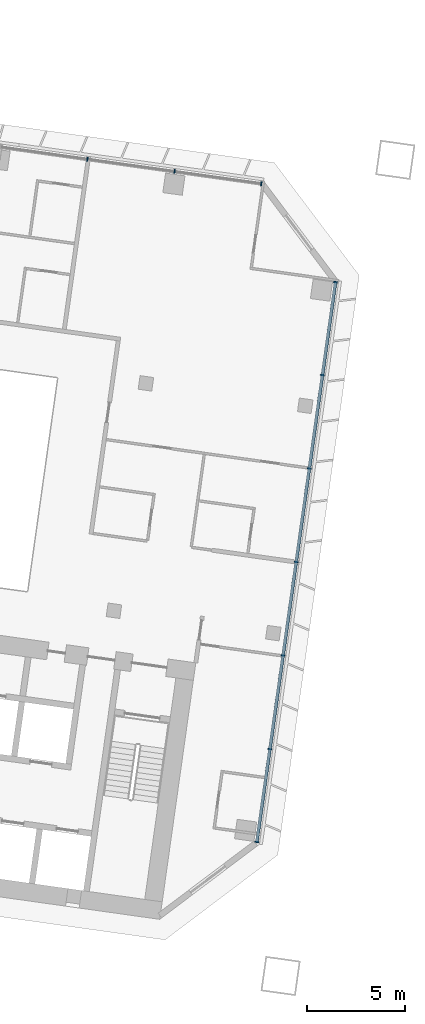
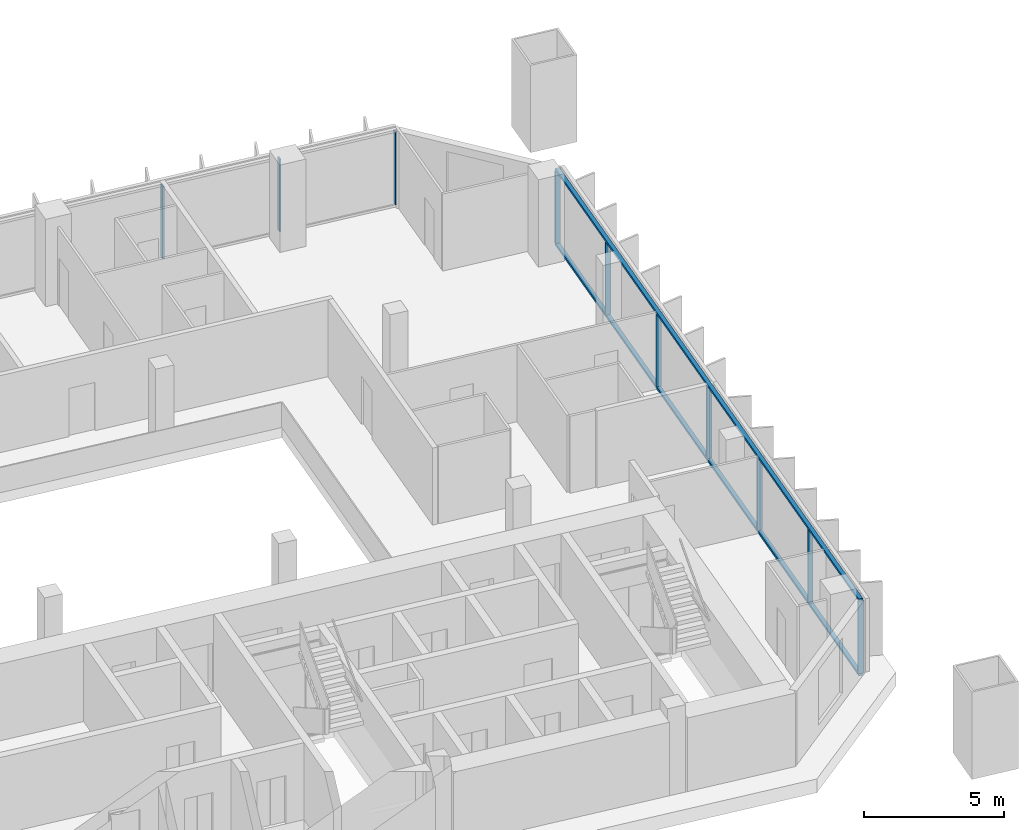
# One storey, part 6 of 25: 12 members, 2 elements without a shape of their own.
"""IFC4 building model written with IfcOpenShell, lengths in metres."""

from ifc_helpers import new_model, si_unit, direction, frame, origin, origin_2d, place, context, subcontext, project, spatial, rectangle, extrude, material, material_profile, profile_set, type_object, element, aggregate, save


model = new_model("IFC4")

# Units and contexts
model_context = context("Model", 3, precision=1e-05, world=origin(), true_north=direction((0.0, 1.0)))
body_context = subcontext(model_context, "Body", "Model", "MODEL_VIEW")
ifc_project = project(units=[si_unit("LENGTHUNIT", "METRE"), si_unit("AREAUNIT", "SQUARE_METRE"), si_unit("VOLUMEUNIT", "CUBIC_METRE"), si_unit("PLANEANGLEUNIT", "RADIAN"), si_unit("MASSUNIT", "GRAM", prefix="KILO")], contexts=[model_context])

# Site, building, storey
site_placement = place(None, origin())
site = spatial("IfcSite", under=ifc_project, at=site_placement, CompositionType="ELEMENT")
building_placement = place(site_placement, origin())
building = spatial("IfcBuilding", under=site, at=building_placement, Name="Mirante Cascada Hotel Towers", CompositionType="ELEMENT")
storey_placement = place(building_placement, frame((0.0, 0.0, 62.3)))
storey = spatial("IfcBuildingStorey", under=building, at=storey_placement, Name="L12", CompositionType="ELEMENT", Elevation=62.3)

# Curtain wall, members
ifc_material_1 = material(Name="Aluminium mullion and transom frame with clear laminated glass", Category="aluminium")
curtain_wall_type_1 = type_object("IfcCurtainWallType", Name="Ribbon curtain wall ECW1", PredefinedType="NOTDEFINED", material=ifc_material_1)
curtain_wall_1_placement = place(storey_placement, origin())
curtain_wall_1 = element("IfcCurtainWall", 1, at=curtain_wall_1_placement, inside=storey, type_object=curtain_wall_type_1, Name="Front ribbon wall T1 L12", PredefinedType="NOTDEFINED")
ifc_material_2 = material(Name="Anodised aluminium extrusion", Category="aluminium")
ifc_material_profile_1 = material_profile(ifc_material_2, rectangle(XDim=0.2, YDim=0.065, at=origin_2d()), Name="ECW1 MULLION 65x200")
ifc_profile_set_1 = profile_set([ifc_material_profile_1], Name="Anodised aluminium extrusion")
member_type_1 = type_object("IfcMemberType", Name="ECW1 mullion 65x200", PredefinedType="MULLION", material=ifc_profile_set_1)
member_1_placement = place(storey_placement, frame((-40.7892, 18.5516, 0.1), z_axis=(0.0, 0.0, 1.0), x_axis=(0.1391731, 0.9902681, 0.0)))
member_1 = element("IfcMember", 2, at=member_1_placement, type_object=member_type_1, Name="ECW1 mullion 13", PredefinedType="MULLION", context=body_context, shape_type="SweptSolid", body=[
    extrude(rectangle(XDim=0.2, YDim=0.065, at=origin_2d()), origin(), (0.0, 0.0, 1.0), 3.15),
])
member_2_placement = place(storey_placement, frame((-36.3417, 17.9265, 0.1), z_axis=(0.0, 0.0, 1.0), x_axis=(0.1391731, 0.9902681, 0.0)))
member_2 = element("IfcMember", 3, at=member_2_placement, type_object=member_type_1, Name="ECW1 mullion 14", PredefinedType="MULLION", context=body_context, shape_type="SweptSolid", body=[
    extrude(rectangle(XDim=0.2, YDim=0.065, at=origin_2d()), origin(), (0.0, 0.0, 1.0), 3.15),
])
member_3_placement = place(storey_placement, frame((-31.9265, 17.306, 0.1), z_axis=(0.0, 0.0, 1.0), x_axis=(0.1391731, 0.9902681, 0.0)))
member_3 = element("IfcMember", 4, at=member_3_placement, type_object=member_type_1, Name="ECW1 mullion 15", PredefinedType="MULLION", context=body_context, shape_type="SweptSolid", body=[
    extrude(rectangle(XDim=0.2, YDim=0.065, at=origin_2d()), origin(), (0.0, 0.0, 1.0), 3.15),
])
aggregate(curtain_wall_1, [member_1, member_2, member_3])

ifc_material_3 = material(Name="Aluminium mullion and transom frame with clear laminated glass", Category="aluminium")
curtain_wall_type_2 = type_object("IfcCurtainWallType", Name="End ribbon curtain wall ECW2", PredefinedType="NOTDEFINED", material=ifc_material_3)
curtain_wall_2_placement = place(storey_placement, origin())
curtain_wall_2 = element("IfcCurtainWall", 5, at=curtain_wall_2_placement, inside=storey, type_object=curtain_wall_type_2, Name="Inner end wall T1 L12", PredefinedType="NOTDEFINED")
ifc_material_4 = material(Name="Anodised aluminium extrusion", Category="aluminium")
ifc_material_profile_2 = material_profile(ifc_material_4, rectangle(XDim=0.2, YDim=0.065, at=origin_2d()), Name="ECW2 MULLION 65x200")
ifc_profile_set_2 = profile_set([ifc_material_profile_2], Name="Anodised aluminium extrusion")
member_type_2 = type_object("IfcMemberType", Name="ECW2 mullion 65x200", PredefinedType="MULLION", material=ifc_profile_set_2)
member_4_placement = place(storey_placement, frame((-28.1437, 12.2861, 0.1), z_axis=(0.0, 0.0, 1.0), x_axis=(0.9902681, -0.1391731, 0.0)))
member_4 = element("IfcMember", 6, at=member_4_placement, type_object=member_type_2, Name="ECW2 mullion 1", PredefinedType="MULLION", context=body_context, shape_type="SweptSolid", body=[
    extrude(rectangle(XDim=0.2, YDim=0.065, at=origin_2d()), origin(), (0.0, 0.0, 1.0), 3.15),
])
member_5_placement = place(storey_placement, frame((-28.809, 7.5524, 0.1), z_axis=(0.0, 0.0, 1.0), x_axis=(0.9902681, -0.1391731, 0.0)))
member_5 = element("IfcMember", 7, at=member_5_placement, type_object=member_type_2, Name="ECW2 mullion 2", PredefinedType="MULLION", context=body_context, shape_type="SweptSolid", body=[
    extrude(rectangle(XDim=0.2, YDim=0.065, at=origin_2d()), origin(), (0.0, 0.0, 1.0), 3.15),
])
member_6_placement = place(storey_placement, frame((-29.4788, 2.7867, 0.1), z_axis=(0.0, 0.0, 1.0), x_axis=(0.9902681, -0.1391731, 0.0)))
member_6 = element("IfcMember", 8, at=member_6_placement, type_object=member_type_2, Name="ECW2 mullion 3", PredefinedType="MULLION", context=body_context, shape_type="SweptSolid", body=[
    extrude(rectangle(XDim=0.2, YDim=0.065, at=origin_2d()), origin(), (0.0, 0.0, 1.0), 3.15),
])
member_7_placement = place(storey_placement, frame((-30.1485, -1.9791, 0.1), z_axis=(0.0, 0.0, 1.0), x_axis=(0.9902681, -0.1391731, 0.0)))
member_7 = element("IfcMember", 9, at=member_7_placement, type_object=member_type_2, Name="ECW2 mullion 4", PredefinedType="MULLION", context=body_context, shape_type="SweptSolid", body=[
    extrude(rectangle(XDim=0.2, YDim=0.065, at=origin_2d()), origin(), (0.0, 0.0, 1.0), 3.15),
])
member_8_placement = place(storey_placement, frame((-30.8183, -6.7449, 0.1), z_axis=(0.0, 0.0, 1.0), x_axis=(0.9902681, -0.1391731, 0.0)))
member_8 = element("IfcMember", 10, at=member_8_placement, type_object=member_type_2, Name="ECW2 mullion 5", PredefinedType="MULLION", context=body_context, shape_type="SweptSolid", body=[
    extrude(rectangle(XDim=0.2, YDim=0.065, at=origin_2d()), origin(), (0.0, 0.0, 1.0), 3.15),
])
member_9_placement = place(storey_placement, frame((-31.4881, -11.5107, 0.1), z_axis=(0.0, 0.0, 1.0), x_axis=(0.9902681, -0.1391731, 0.0)))
member_9 = element("IfcMember", 11, at=member_9_placement, type_object=member_type_2, Name="ECW2 mullion 6", PredefinedType="MULLION", context=body_context, shape_type="SweptSolid", body=[
    extrude(rectangle(XDim=0.2, YDim=0.065, at=origin_2d()), origin(), (0.0, 0.0, 1.0), 3.15),
])
member_10_placement = place(storey_placement, frame((-32.1534, -16.2443, 0.1), z_axis=(0.0, 0.0, 1.0), x_axis=(0.9902681, -0.1391731, 0.0)))
member_10 = element("IfcMember", 12, at=member_10_placement, type_object=member_type_2, Name="ECW2 mullion 7", PredefinedType="MULLION", context=body_context, shape_type="SweptSolid", body=[
    extrude(rectangle(XDim=0.2, YDim=0.065, at=origin_2d()), origin(), (0.0, 0.0, 1.0), 3.15),
])
ifc_material_5 = material(Name="Anodised aluminium extrusion", Category="aluminium")
ifc_material_profile_3 = material_profile(ifc_material_5, rectangle(XDim=0.16, YDim=0.1, at=origin_2d()), Name="ECW2 TRANSOM 100x160")
ifc_profile_set_3 = profile_set([ifc_material_profile_3], Name="Anodised aluminium extrusion")
member_type_3 = type_object("IfcMemberType", Name="ECW2 transom 100x160", PredefinedType="USERDEFINED", material=ifc_profile_set_3)
member_11_placement = place(storey_placement, frame((-28.1392, 12.3182, 0.05), z_axis=(-0.1391723, -0.9902682, 0.0), x_axis=(0.9902682, -0.1391723, 0.0)))
member_11 = element("IfcMember", 13, at=member_11_placement, type_object=member_type_3, Name="ECW2 sill transom", ObjectType="TRANSOM", PredefinedType="USERDEFINED", context=body_context, shape_type="SweptSolid", body=[
    extrude(rectangle(XDim=0.16, YDim=0.1, at=origin_2d()), origin(), (0.0, 0.0, 1.0), 28.8757),
])
member_12_placement = place(storey_placement, frame((-28.1392, 12.3182, 3.3), z_axis=(-0.1391723, -0.9902682, 0.0), x_axis=(0.9902682, -0.1391723, 0.0)))
member_12 = element("IfcMember", 14, at=member_12_placement, type_object=member_type_3, Name="ECW2 head transom", ObjectType="TRANSOM", PredefinedType="USERDEFINED", context=body_context, shape_type="SweptSolid", body=[
    extrude(rectangle(XDim=0.16, YDim=0.1, at=origin_2d()), origin(), (0.0, 0.0, 1.0), 28.8757),
])
aggregate(curtain_wall_2, [member_11, member_12, member_4, member_5, member_6, member_7, member_8, member_9, member_10])

save(model, "model.ifc")
